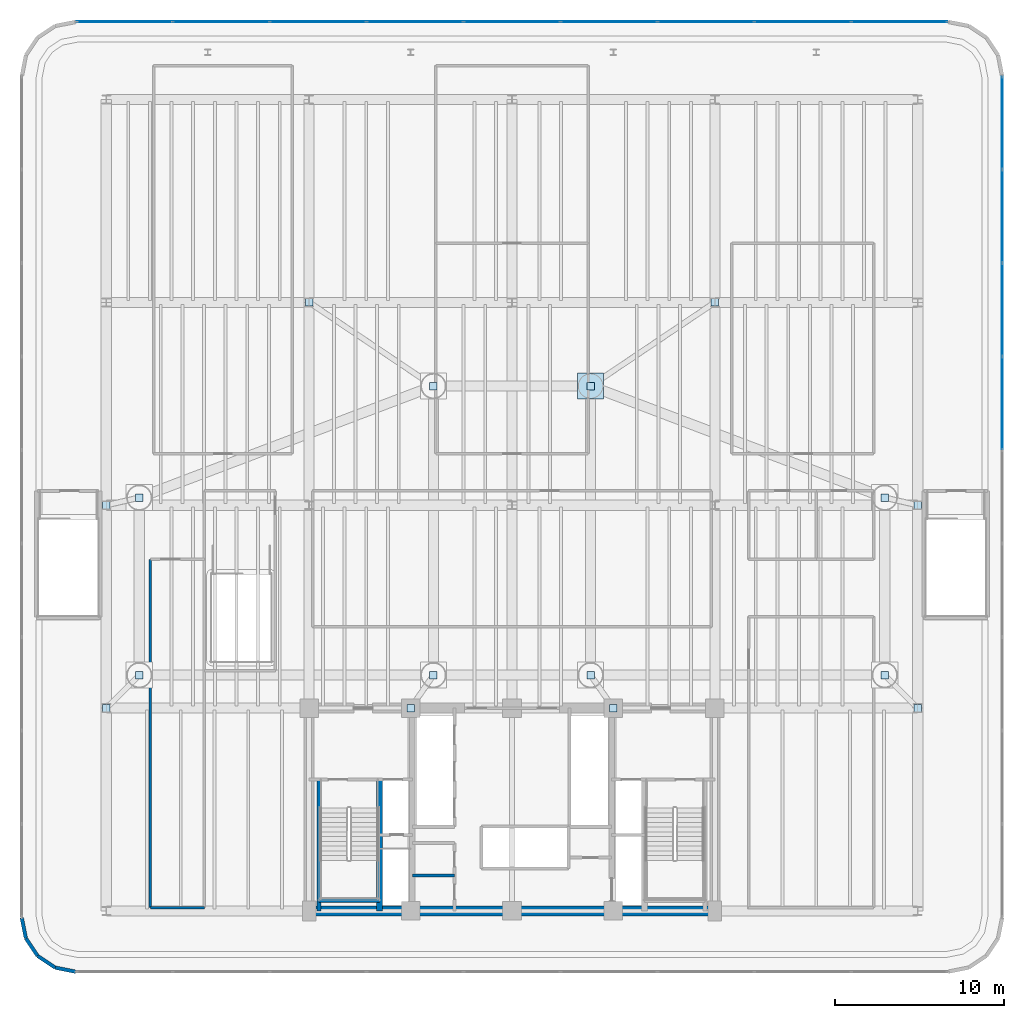
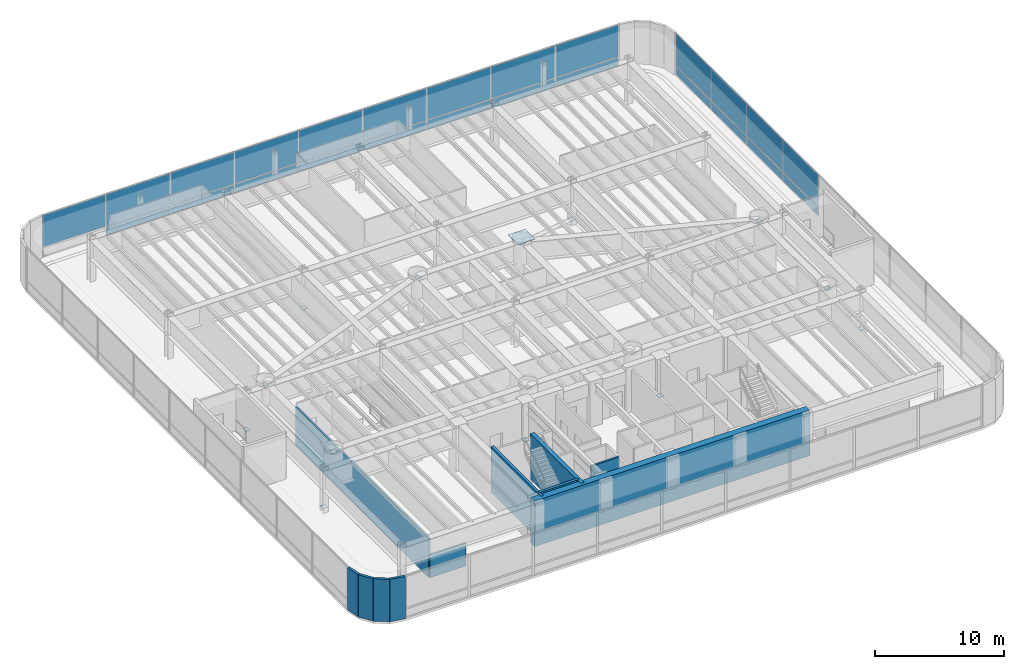
# One storey, part 12 of 18: 42 plates, 11 walls, 2 elements without a shape of their own.
"""IFC4 building model written with IfcOpenShell, lengths in metres."""

from ifc_helpers import new_model, si_unit, direction, frame, frame_2d, origin, origin_2d, place, context, subcontext, project, spatial, rectangle, extrude, source, transform, mapped, material, layer, layer_set, type_object, element, aggregate, save


model = new_model("IFC4")

# Units and contexts
model_context = context("Model", 3, precision=1e-05, world=origin(), true_north=direction((0.0, 1.0)))
body_context = subcontext(model_context, "Body", "Model", "MODEL_VIEW")
ifc_project = project(units=[si_unit("LENGTHUNIT", "METRE"), si_unit("AREAUNIT", "SQUARE_METRE"), si_unit("VOLUMEUNIT", "CUBIC_METRE"), si_unit("PLANEANGLEUNIT", "RADIAN"), si_unit("MASSUNIT", "GRAM", prefix="KILO")], contexts=[model_context])

# Site, building, storey
site_placement = place(None, origin())
site = spatial("IfcSite", under=ifc_project, at=site_placement, CompositionType="ELEMENT")
building_placement = place(site_placement, origin())
building = spatial("IfcBuilding", under=site, at=building_placement, Name="Brelvock Crest Care Tower", CompositionType="ELEMENT")
storey_placement = place(building_placement, frame((0.0, 0.0, 22.679931640625)))
storey = spatial("IfcBuildingStorey", under=building, at=storey_placement, Name="L05", CompositionType="ELEMENT", Elevation=22.679931640625)

# Plates
ifc_material_1 = material(Name="Steel Grade 350", Category="steel")
plate_type_1 = type_object("IfcPlateType", Name="PLT-EC1", PredefinedType="USERDEFINED", material=ifc_material_1)
shared_shape_1 = source(origin(), body_context, "Body", "SweptSolid", [
    extrude(rectangle(XDim=1.550048828125, YDim=1.550048828125, at=origin_2d()), origin(), (0.0, 0.0, 1.0), 0.031982421875),
])
plate_1_placement = place(storey_placement, frame((40.64990234375, 37.050048828125, 4.31201171875), z_axis=(0.0, 0.0, 1.0), x_axis=(1.0, 0.0, 0.0)))
element("IfcPlate", 1, at=plate_1_placement, inside=storey, type_object=plate_type_1, Name="PLT-CAP-L05-08", ObjectType="FLANGE_PLATE", PredefinedType="USERDEFINED", context=body_context, shape_type="MappedRepresentation", body=[
    mapped(shared_shape_1, transform((0.0, 0.0, 0.0), x_axis=(1.0, 0.0, 0.0), y_axis=(0.0, 1.0, 0.0), z_axis=(0.0, 0.0, 1.0), scale=1.0)),
])
plate_type_2 = type_object("IfcPlateType", Name="PLT-EC3", PredefinedType="USERDEFINED", material=ifc_material_1)
shared_shape_2 = source(origin(), body_context, "Body", "SweptSolid", [
    extrude(rectangle(XDim=0.449951171875, YDim=0.449951171875, at=origin_2d()), origin(), (0.0, 0.0, 1.0), 0.02490234375),
])
for number, where, z_axis, x_axis, name in (
    (2, (12.0, 18.0, 0.4375), (0.0, 0.0, 1.0), (1.0, 0.0, 0.0), "PLT-CAP-TR5A-01"),
    (3, (13.949951171875, 19.949951171875, 3.757568359375), (0.0, 0.0, 1.0), (1.0, 0.0, 0.0), "PLT-CAP-TR5B-01"),
    (4, (12.0, 30.0, 0.4375), (0.0, 0.0, 1.0), (1.0, 0.0, 0.0), "PLT-CAP-TR5A-02"),
    (5, (13.949951171875, 30.449951171875, 3.757568359375), (0.0, 0.0, 1.0), (1.0, 0.0, 0.0), "PLT-CAP-TR5B-02"),
    (6, (60.0, 18.0, 0.4375), (0.0, 0.0, 1.0), (1.0, 0.0, 0.0), "PLT-CAP-TR5A-03"),
    (7, (58.050048828125, 19.949951171875, 3.757568359375), (0.0, 0.0, 1.0), (1.0, 0.0, 0.0), "PLT-CAP-TR5B-03"),
    (8, (60.0, 30.0, 0.4375), (0.0, 0.0, 1.0), (1.0, 0.0, 0.0), "PLT-CAP-TR5A-04"),
    (9, (58.050048828125, 30.449951171875, 3.757568359375), (0.0, 0.0, 1.0), (1.0, 0.0, 0.0), "PLT-CAP-TR5B-04"),
    (10, (30.0, 18.0, 0.4375), (0.0, 0.0, 1.0), (1.0, 0.0, 0.0), "PLT-CAP-TR5A-05"),
    (11, (31.35009765625, 19.949951171875, 3.757568359375), (0.0, 0.0, 1.0), (1.0, 0.0, 0.0), "PLT-CAP-TR5B-05"),
    (12, (42.0, 18.0, 0.4375), (0.0, 0.0, 1.0), (1.0, 0.0, 0.0), "PLT-CAP-TR5A-06"),
    (13, (40.64990234375, 19.949951171875, 3.757568359375), (0.0, 0.0, 1.0), (1.0, 0.0, 0.0), "PLT-CAP-TR5B-06"),
    (14, (24.0, 42.0, 0.4375), (0.0, 0.0, 1.0), (1.0, 0.0, 0.0), "PLT-CAP-TR5A-07"),
    (15, (31.35009765625, 37.050048828125, 3.757568359375), (0.0, 0.0, 1.0), (1.0, 0.0, 0.0), "PLT-CAP-TR5B-07"),
    (16, (48.0, 42.0, 0.4375), (0.0, 0.0, 1.0), (1.0, 0.0, 0.0), "PLT-CAP-TR5A-08"),
    (17, (40.64990234375, 37.050048828125, 3.757568359375), (0.0, 0.0, 1.0), (1.0, 0.0, 0.0), "PLT-CAP-TR5B-08"),
):
    element("IfcPlate", number, at=place(storey_placement, frame(where, z_axis=z_axis, x_axis=x_axis)), inside=storey, type_object=plate_type_2, Name=name, ObjectType="FLANGE_PLATE", PredefinedType="USERDEFINED", context=body_context, shape_type="MappedRepresentation", body=[
        mapped(shared_shape_2, transform((0.0, 0.0, 0.0), x_axis=(1.0, 0.0, 0.0), y_axis=(0.0, 1.0, 0.0), z_axis=(0.0, 0.0, 1.0), scale=1.0)),
    ])

# Curtain wall, plates
ifc_material_2 = material(Name="Dark Glass Double Glazed Low-E", Category="glass")
ifc_layer_1 = layer(ifc_material_2, 0.179931640625, Name="CWS-1")
ifc_layer_set_1 = layer_set([ifc_layer_1], Name="Dark Glass Double Glazed Low-E")
curtain_wall_type = type_object("IfcCurtainWallType", Name="CWS-1", PredefinedType="NOTDEFINED", material=ifc_layer_set_1)
curtain_wall_1_placement = place(storey_placement, origin())
curtain_wall_1 = element("IfcCurtainWall", 18, at=curtain_wall_1_placement, inside=storey, type_object=curtain_wall_type, Name="L05 Curtain Wall E14", PredefinedType="NOTDEFINED")
ifc_material_3 = material(Name="Dark Glass Shadow-Box Spandrel", Category="glass")
ifc_layer_2 = layer(ifc_material_3, 0.048095703125, Name="CWP-SP1")
ifc_layer_set_2 = layer_set([ifc_layer_2], Name="Dark Glass Shadow-Box Spandrel")
plate_type_3 = type_object("IfcPlateType", Name="CWP-SP1", PredefinedType="SHEET", material=ifc_layer_set_2)
shared_shape_3 = source(origin(), body_context, "Body", "SweptSolid", [
    extrude(rectangle(XDim=5.435791015625, YDim=0.035888671875, at=origin_2d()), origin(), (0.0, 0.0, 1.0), 0.802490234375),
])
plate_2_placement = place(storey_placement, frame((65.0, 52.6171875, 0.06494140625), z_axis=(0.0, 0.0, 1.0), x_axis=(0.0, -1.0, 0.0)))
plate_2 = element("IfcPlate", 19, at=plate_2_placement, type_object=plate_type_3, Name="CW-1 panel 1.1", PredefinedType="SHEET", context=body_context, shape_type="MappedRepresentation", body=[
    mapped(shared_shape_3, transform((0.0, 0.0, 0.0), x_axis=(1.0, 0.0, 0.0), y_axis=(0.0, 1.0, 0.0), z_axis=(0.0, 0.0, 1.0), scale=1.0)),
])
shared_shape_4 = source(origin(), body_context, "Body", "SweptSolid", [
    extrude(rectangle(XDim=5.46826171875, YDim=0.035888671875, at=origin_2d()), origin(), (0.0, 0.0, 1.0), 0.802490234375),
])
plate_3_placement = place(storey_placement, frame((65.0, 47.10009765625, 0.06494140625), z_axis=(0.0, 0.0, 1.0), x_axis=(0.0, -1.0, 0.0)))
plate_3 = element("IfcPlate", 20, at=plate_3_placement, type_object=plate_type_3, Name="CW-1 panel 2.1", PredefinedType="SHEET", context=body_context, shape_type="MappedRepresentation", body=[
    mapped(shared_shape_4, transform((0.0, 0.0, 0.0), x_axis=(1.0, 0.0, 0.0), y_axis=(0.0, 1.0, 0.0), z_axis=(0.0, 0.0, 1.0), scale=1.0)),
])
plate_4_placement = place(storey_placement, frame((65.0, 41.566650390625, 0.06494140625), z_axis=(0.0, 0.0, 1.0), x_axis=(0.0, -1.0, 0.0)))
plate_4 = element("IfcPlate", 21, at=plate_4_placement, type_object=plate_type_3, Name="CW-1 panel 3.1", PredefinedType="SHEET", context=body_context, shape_type="MappedRepresentation", body=[
    mapped(shared_shape_4, transform((0.0, 0.0, 0.0), x_axis=(1.0, 0.0, 0.0), y_axis=(0.0, 1.0, 0.0), z_axis=(0.0, 0.0, 1.0), scale=1.0)),
])
plate_5_placement = place(storey_placement, frame((65.0, 36.033447265625, 0.06494140625), z_axis=(0.0, 0.0, 1.0), x_axis=(0.0, -1.0, 0.0)))
plate_5 = element("IfcPlate", 22, at=plate_5_placement, type_object=plate_type_3, Name="CW-1 panel 4.1", PredefinedType="SHEET", context=body_context, shape_type="MappedRepresentation", body=[
    mapped(shared_shape_4, transform((0.0, 0.0, 0.0), x_axis=(1.0, 0.0, 0.0), y_axis=(0.0, 1.0, 0.0), z_axis=(0.0, 0.0, 1.0), scale=1.0)),
])

curtain_wall_2_placement = place(storey_placement, origin())
curtain_wall_2 = element("IfcCurtainWall", 23, at=curtain_wall_2_placement, inside=storey, type_object=curtain_wall_type, Name="L05 Curtain Wall E09", PredefinedType="NOTDEFINED")
shared_shape_5 = source(origin(), body_context, "Body", "SweptSolid", [
    extrude(rectangle(XDim=5.6357421875, YDim=0.035888671875, at=origin_2d()), origin(), (0.0, 0.0, 1.0), 0.802490234375),
])
plate_6_placement = place(storey_placement, frame((58.9169921875, 58.60009765625, 0.06494140625), z_axis=(0.0, 0.0, 1.0), x_axis=(1.0, 0.0, 0.0)))
plate_6 = element("IfcPlate", 24, at=plate_6_placement, type_object=plate_type_3, Name="CW-1 panel 9.1", PredefinedType="SHEET", context=body_context, shape_type="MappedRepresentation", body=[
    mapped(shared_shape_5, transform((0.0, 0.0, 0.0), x_axis=(1.0, 0.0, 0.0), y_axis=(0.0, 1.0, 0.0), z_axis=(0.0, 0.0, 1.0), scale=1.0)),
])
shared_shape_6 = source(origin(), body_context, "Body", "SweptSolid", [
    extrude(rectangle(XDim=5.668212890625, YDim=0.035888671875, at=origin_2d()), origin(), (0.0, 0.0, 1.0), 0.802490234375),
])
plate_7_placement = place(storey_placement, frame((18.800048828125, 58.60009765625, 0.06494140625), z_axis=(0.0, 0.0, 1.0), x_axis=(1.0, 0.0, 0.0)))
plate_7 = element("IfcPlate", 25, at=plate_7_placement, type_object=plate_type_3, Name="CW-1 panel 2.1", PredefinedType="SHEET", context=body_context, shape_type="MappedRepresentation", body=[
    mapped(shared_shape_6, transform((0.0, 0.0, 0.0), x_axis=(1.0, 0.0, 0.0), y_axis=(0.0, 1.0, 0.0), z_axis=(0.0, 0.0, 1.0), scale=1.0)),
])
plate_8_placement = place(storey_placement, frame((24.533447265625, 58.60009765625, 0.06494140625), z_axis=(0.0, 0.0, 1.0), x_axis=(1.0, 0.0, 0.0)))
plate_8 = element("IfcPlate", 26, at=plate_8_placement, type_object=plate_type_3, Name="CW-1 panel 3.1", PredefinedType="SHEET", context=body_context, shape_type="MappedRepresentation", body=[
    mapped(shared_shape_6, transform((0.0, 0.0, 0.0), x_axis=(1.0, 0.0, 0.0), y_axis=(0.0, 1.0, 0.0), z_axis=(0.0, 0.0, 1.0), scale=1.0)),
])
plate_9_placement = place(storey_placement, frame((30.2666015625, 58.60009765625, 0.06494140625), z_axis=(0.0, 0.0, 1.0), x_axis=(1.0, 0.0, 0.0)))
plate_9 = element("IfcPlate", 27, at=plate_9_placement, type_object=plate_type_3, Name="CW-1 panel 4.1", PredefinedType="SHEET", context=body_context, shape_type="MappedRepresentation", body=[
    mapped(shared_shape_6, transform((0.0, 0.0, 0.0), x_axis=(1.0, 0.0, 0.0), y_axis=(0.0, 1.0, 0.0), z_axis=(0.0, 0.0, 1.0), scale=1.0)),
])
plate_10_placement = place(storey_placement, frame((36.0, 58.60009765625, 0.06494140625), z_axis=(0.0, 0.0, 1.0), x_axis=(1.0, 0.0, 0.0)))
plate_10 = element("IfcPlate", 28, at=plate_10_placement, type_object=plate_type_3, Name="CW-1 panel 5.1", PredefinedType="SHEET", context=body_context, shape_type="MappedRepresentation", body=[
    mapped(shared_shape_6, transform((0.0, 0.0, 0.0), x_axis=(1.0, 0.0, 0.0), y_axis=(0.0, 1.0, 0.0), z_axis=(0.0, 0.0, 1.0), scale=1.0)),
])
plate_11_placement = place(storey_placement, frame((41.7333984375, 58.60009765625, 0.06494140625), z_axis=(0.0, 0.0, 1.0), x_axis=(1.0, 0.0, 0.0)))
plate_11 = element("IfcPlate", 29, at=plate_11_placement, type_object=plate_type_3, Name="CW-1 panel 6.1", PredefinedType="SHEET", context=body_context, shape_type="MappedRepresentation", body=[
    mapped(shared_shape_6, transform((0.0, 0.0, 0.0), x_axis=(1.0, 0.0, 0.0), y_axis=(0.0, 1.0, 0.0), z_axis=(0.0, 0.0, 1.0), scale=1.0)),
])
plate_12_placement = place(storey_placement, frame((47.466552734375, 58.60009765625, 0.06494140625), z_axis=(0.0, 0.0, 1.0), x_axis=(1.0, 0.0, 0.0)))
plate_12 = element("IfcPlate", 30, at=plate_12_placement, type_object=plate_type_3, Name="CW-1 panel 7.1", PredefinedType="SHEET", context=body_context, shape_type="MappedRepresentation", body=[
    mapped(shared_shape_6, transform((0.0, 0.0, 0.0), x_axis=(1.0, 0.0, 0.0), y_axis=(0.0, 1.0, 0.0), z_axis=(0.0, 0.0, 1.0), scale=1.0)),
])
plate_13_placement = place(storey_placement, frame((53.199951171875, 58.60009765625, 0.06494140625), z_axis=(0.0, 0.0, 1.0), x_axis=(1.0, 0.0, 0.0)))
plate_13 = element("IfcPlate", 31, at=plate_13_placement, type_object=plate_type_3, Name="CW-1 panel 8.1", PredefinedType="SHEET", context=body_context, shape_type="MappedRepresentation", body=[
    mapped(shared_shape_6, transform((0.0, 0.0, 0.0), x_axis=(1.0, 0.0, 0.0), y_axis=(0.0, 1.0, 0.0), z_axis=(0.0, 0.0, 1.0), scale=1.0)),
])

# Plate
ifc_layer_3 = layer(ifc_material_2, 0.031982421875, Name="CWP-V1")
ifc_layer_set_3 = layer_set([ifc_layer_3], Name="Dark Glass Double Glazed Low-E")
plate_type_4 = type_object("IfcPlateType", Name="CWP-V1", PredefinedType="CURTAIN_PANEL", material=ifc_layer_set_3)
shared_shape_7 = source(origin(), body_context, "Body", "SweptSolid", [
    extrude(rectangle(XDim=5.435791015625, YDim=0.035888671875, at=origin_2d()), origin(), (0.0, 0.0, 1.0), 3.00244140625),
])
plate_14_placement = place(storey_placement, frame((65.0, 52.6171875, 0.9326171875), z_axis=(0.0, 0.0, 1.0), x_axis=(0.0, -1.0, 0.0)))
plate_14 = element("IfcPlate", 32, at=plate_14_placement, type_object=plate_type_4, Name="CW-1 panel 1.2", PredefinedType="CURTAIN_PANEL", context=body_context, shape_type="MappedRepresentation", body=[
    mapped(shared_shape_7, transform((0.0, 0.0, 0.0), x_axis=(1.0, 0.0, 0.0), y_axis=(0.0, 1.0, 0.0), z_axis=(0.0, 0.0, 1.0), scale=1.0)),
])

shared_shape_8 = source(origin(), body_context, "Body", "SweptSolid", [
    extrude(rectangle(XDim=5.46826171875, YDim=0.035888671875, at=origin_2d()), origin(), (0.0, 0.0, 1.0), 3.00244140625),
])
plate_15_placement = place(storey_placement, frame((65.0, 47.10009765625, 0.9326171875), z_axis=(0.0, 0.0, 1.0), x_axis=(0.0, -1.0, 0.0)))
plate_15 = element("IfcPlate", 33, at=plate_15_placement, type_object=plate_type_4, Name="CW-1 panel 2.2", PredefinedType="CURTAIN_PANEL", context=body_context, shape_type="MappedRepresentation", body=[
    mapped(shared_shape_8, transform((0.0, 0.0, 0.0), x_axis=(1.0, 0.0, 0.0), y_axis=(0.0, 1.0, 0.0), z_axis=(0.0, 0.0, 1.0), scale=1.0)),
])

plate_16_placement = place(storey_placement, frame((65.0, 41.566650390625, 0.9326171875), z_axis=(0.0, 0.0, 1.0), x_axis=(0.0, -1.0, 0.0)))
plate_16 = element("IfcPlate", 34, at=plate_16_placement, type_object=plate_type_4, Name="CW-1 panel 3.2", PredefinedType="CURTAIN_PANEL", context=body_context, shape_type="MappedRepresentation", body=[
    mapped(shared_shape_8, transform((0.0, 0.0, 0.0), x_axis=(1.0, 0.0, 0.0), y_axis=(0.0, 1.0, 0.0), z_axis=(0.0, 0.0, 1.0), scale=1.0)),
])

plate_17_placement = place(storey_placement, frame((65.0, 36.033447265625, 0.9326171875), z_axis=(0.0, 0.0, 1.0), x_axis=(0.0, -1.0, 0.0)))
plate_17 = element("IfcPlate", 35, at=plate_17_placement, type_object=plate_type_4, Name="CW-1 panel 4.2", PredefinedType="CURTAIN_PANEL", context=body_context, shape_type="MappedRepresentation", body=[
    mapped(shared_shape_8, transform((0.0, 0.0, 0.0), x_axis=(1.0, 0.0, 0.0), y_axis=(0.0, 1.0, 0.0), z_axis=(0.0, 0.0, 1.0), scale=1.0)),
])

aggregate(curtain_wall_1, [plate_2, plate_14, plate_3, plate_15, plate_4, plate_16, plate_5, plate_17])

shared_shape_9 = source(origin(), body_context, "Body", "SweptSolid", [
    extrude(rectangle(XDim=5.6357421875, YDim=0.035888671875, at=origin_2d()), origin(), (0.0, 0.0, 1.0), 3.00244140625),
])
plate_18_placement = place(storey_placement, frame((13.0830078125, 58.60009765625, 0.9326171875), z_axis=(0.0, 0.0, 1.0), x_axis=(1.0, 0.0, 0.0)))
plate_18 = element("IfcPlate", 36, at=plate_18_placement, type_object=plate_type_4, Name="CW-1 panel 1.2", PredefinedType="CURTAIN_PANEL", context=body_context, shape_type="MappedRepresentation", body=[
    mapped(shared_shape_9, transform((0.0, 0.0, 0.0), x_axis=(1.0, 0.0, 0.0), y_axis=(0.0, 1.0, 0.0), z_axis=(0.0, 0.0, 1.0), scale=1.0)),
])

plate_19_placement = place(storey_placement, frame((58.9169921875, 58.60009765625, 0.9326171875), z_axis=(0.0, 0.0, 1.0), x_axis=(1.0, 0.0, 0.0)))
plate_19 = element("IfcPlate", 37, at=plate_19_placement, type_object=plate_type_4, Name="CW-1 panel 9.2", PredefinedType="CURTAIN_PANEL", context=body_context, shape_type="MappedRepresentation", body=[
    mapped(shared_shape_9, transform((0.0, 0.0, 0.0), x_axis=(1.0, 0.0, 0.0), y_axis=(0.0, 1.0, 0.0), z_axis=(0.0, 0.0, 1.0), scale=1.0)),
])

shared_shape_10 = source(origin(), body_context, "Body", "SweptSolid", [
    extrude(rectangle(XDim=5.668212890625, YDim=0.035888671875, at=origin_2d()), origin(), (0.0, 0.0, 1.0), 3.00244140625),
])
plate_20_placement = place(storey_placement, frame((18.800048828125, 58.60009765625, 0.9326171875), z_axis=(0.0, 0.0, 1.0), x_axis=(1.0, 0.0, 0.0)))
plate_20 = element("IfcPlate", 38, at=plate_20_placement, type_object=plate_type_4, Name="CW-1 panel 2.2", PredefinedType="CURTAIN_PANEL", context=body_context, shape_type="MappedRepresentation", body=[
    mapped(shared_shape_10, transform((0.0, 0.0, 0.0), x_axis=(1.0, 0.0, 0.0), y_axis=(0.0, 1.0, 0.0), z_axis=(0.0, 0.0, 1.0), scale=1.0)),
])

plate_21_placement = place(storey_placement, frame((24.533447265625, 58.60009765625, 0.9326171875), z_axis=(0.0, 0.0, 1.0), x_axis=(1.0, 0.0, 0.0)))
plate_21 = element("IfcPlate", 39, at=plate_21_placement, type_object=plate_type_4, Name="CW-1 panel 3.2", PredefinedType="CURTAIN_PANEL", context=body_context, shape_type="MappedRepresentation", body=[
    mapped(shared_shape_10, transform((0.0, 0.0, 0.0), x_axis=(1.0, 0.0, 0.0), y_axis=(0.0, 1.0, 0.0), z_axis=(0.0, 0.0, 1.0), scale=1.0)),
])

plate_22_placement = place(storey_placement, frame((30.2666015625, 58.60009765625, 0.9326171875), z_axis=(0.0, 0.0, 1.0), x_axis=(1.0, 0.0, 0.0)))
plate_22 = element("IfcPlate", 40, at=plate_22_placement, type_object=plate_type_4, Name="CW-1 panel 4.2", PredefinedType="CURTAIN_PANEL", context=body_context, shape_type="MappedRepresentation", body=[
    mapped(shared_shape_10, transform((0.0, 0.0, 0.0), x_axis=(1.0, 0.0, 0.0), y_axis=(0.0, 1.0, 0.0), z_axis=(0.0, 0.0, 1.0), scale=1.0)),
])

plate_23_placement = place(storey_placement, frame((36.0, 58.60009765625, 0.9326171875), z_axis=(0.0, 0.0, 1.0), x_axis=(1.0, 0.0, 0.0)))
plate_23 = element("IfcPlate", 41, at=plate_23_placement, type_object=plate_type_4, Name="CW-1 panel 5.2", PredefinedType="CURTAIN_PANEL", context=body_context, shape_type="MappedRepresentation", body=[
    mapped(shared_shape_10, transform((0.0, 0.0, 0.0), x_axis=(1.0, 0.0, 0.0), y_axis=(0.0, 1.0, 0.0), z_axis=(0.0, 0.0, 1.0), scale=1.0)),
])

plate_24_placement = place(storey_placement, frame((41.7333984375, 58.60009765625, 0.9326171875), z_axis=(0.0, 0.0, 1.0), x_axis=(1.0, 0.0, 0.0)))
plate_24 = element("IfcPlate", 42, at=plate_24_placement, type_object=plate_type_4, Name="CW-1 panel 6.2", PredefinedType="CURTAIN_PANEL", context=body_context, shape_type="MappedRepresentation", body=[
    mapped(shared_shape_10, transform((0.0, 0.0, 0.0), x_axis=(1.0, 0.0, 0.0), y_axis=(0.0, 1.0, 0.0), z_axis=(0.0, 0.0, 1.0), scale=1.0)),
])

plate_25_placement = place(storey_placement, frame((47.466552734375, 58.60009765625, 0.9326171875), z_axis=(0.0, 0.0, 1.0), x_axis=(1.0, 0.0, 0.0)))
plate_25 = element("IfcPlate", 43, at=plate_25_placement, type_object=plate_type_4, Name="CW-1 panel 7.2", PredefinedType="CURTAIN_PANEL", context=body_context, shape_type="MappedRepresentation", body=[
    mapped(shared_shape_10, transform((0.0, 0.0, 0.0), x_axis=(1.0, 0.0, 0.0), y_axis=(0.0, 1.0, 0.0), z_axis=(0.0, 0.0, 1.0), scale=1.0)),
])

plate_26_placement = place(storey_placement, frame((53.199951171875, 58.60009765625, 0.9326171875), z_axis=(0.0, 0.0, 1.0), x_axis=(1.0, 0.0, 0.0)))
plate_26 = element("IfcPlate", 44, at=plate_26_placement, type_object=plate_type_4, Name="CW-1 panel 8.2", PredefinedType="CURTAIN_PANEL", context=body_context, shape_type="MappedRepresentation", body=[
    mapped(shared_shape_10, transform((0.0, 0.0, 0.0), x_axis=(1.0, 0.0, 0.0), y_axis=(0.0, 1.0, 0.0), z_axis=(0.0, 0.0, 1.0), scale=1.0)),
])

aggregate(curtain_wall_2, [plate_18, plate_7, plate_20, plate_8, plate_21, plate_9, plate_22, plate_10, plate_23, plate_11, plate_24, plate_12, plate_25, plate_13, plate_26, plate_6, plate_19])

# Walls
ifc_material_4 = material(Name="Concrete S80 (80 MPa)", Category="concrete")
ifc_layer_4 = layer(ifc_material_4, 0.60009765625, Name="WL-CS1")
ifc_layer_set_4 = layer_set([ifc_layer_4], Name="Concrete S80 (80 MPa)")
wall_type_1 = type_object("IfcWallType", Name="WL-CS1", PredefinedType="SHEAR", material=ifc_layer_set_4)
wall_1_placement = place(storey_placement, frame((48.300048828125, 6.0, 0.0), z_axis=(0.0, 0.0, 1.0), x_axis=(-1.0, 0.0, 0.0)))
element("IfcWall", 45, at=wall_1_placement, inside=storey, type_object=wall_type_1, Name="L05 Core South Shear Wall", PredefinedType="SHEAR", context=body_context, shape_type="SweptSolid", body=[
    extrude(rectangle(XDim=24.60009765625, YDim=0.60009765625, at=frame_2d((12.300048828125, 0.0))), origin(), (0.0, 0.0, 1.0), 4.320068359375),
])
ifc_layer_5 = layer(ifc_material_4, 0.35009765625, Name="WL-CS5")
ifc_layer_set_5 = layer_set([ifc_layer_5], Name="Concrete S80 (80 MPa)")
wall_type_2 = type_object("IfcWallType", Name="WL-CS5", PredefinedType="SHEAR", material=ifc_layer_set_5)
wall_2_placement = place(storey_placement, frame((28.14990234375, 6.0, 0.0), z_axis=(0.0, 0.0, 1.0), x_axis=(0.0, 1.0, 0.0)))
element("IfcWall", 46, at=wall_2_placement, inside=storey, type_object=wall_type_2, Name="L05 Core Stair ST-1 East Shear Wall", PredefinedType="SHEAR", context=body_context, shape_type="SweptSolid", body=[
    extrude(rectangle(XDim=7.780029296875, YDim=0.35009765625, at=frame_2d((3.89013671875, 0.0))), origin(), (0.0, 0.0, 1.0), 4.320068359375),
])
ifc_layer_6 = layer(ifc_material_4, 0.25, Name="WL-CS6")
ifc_layer_set_6 = layer_set([ifc_layer_6], Name="Concrete S80 (80 MPa)")
wall_type_3 = type_object("IfcWallType", Name="WL-CS6", PredefinedType="SHEAR", material=ifc_layer_set_6)
wall_3_placement = place(storey_placement, frame((24.580078125, 6.0, 0.0), z_axis=(0.0, 0.0, 1.0), x_axis=(0.0, 1.0, 0.0)))
element("IfcWall", 47, at=wall_3_placement, inside=storey, type_object=wall_type_3, Name="L05 Core Stair ST-1 West Shear Wall", PredefinedType="SHEAR", context=body_context, shape_type="SweptSolid", body=[
    extrude(rectangle(XDim=7.780029296875, YDim=0.25, at=frame_2d((3.89013671875, 0.0))), origin(), (0.0, 0.0, 1.0), 4.320068359375),
])
wall_4_placement = place(storey_placement, frame((24.580078125, 6.6201171875, 0.0), z_axis=(0.0, 0.0, 1.0), x_axis=(1.0, 0.0, 0.0)))
element("IfcWall", 48, at=wall_4_placement, inside=storey, type_object=wall_type_3, Name="L05 Core Stair ST-1 South Shear Wall", PredefinedType="SHEAR", context=body_context, shape_type="SweptSolid", body=[
    extrude(rectangle(XDim=3.56982421875, YDim=0.25, at=frame_2d((1.784912109375, 0.0))), origin(), (0.0, 0.0, 1.0), 4.320068359375),
])
ifc_material_5 = material(Name="Precast concrete N40 (40 MPa)", Category="concrete")
ifc_layer_7 = layer(ifc_material_5, 0.215087890625, Name="WL-EX2")
ifc_layer_set_7 = layer_set([ifc_layer_7], Name="Precast concrete N40 (40 MPa)")
wall_type_4 = type_object("IfcWallType", Name="WL-EX2", PredefinedType="SOLIDWALL", material=ifc_layer_set_7)
for number, where, z_axis, x_axis, name in (
    (49, (10.199951171875, 2.39990234375, 0.0), (0.0, 0.0, 1.0), (-0.980775717779, 0.195138390419, 0.0), "L05 Rounded Corner Wall 00"),
    (50, (8.975341796875, 2.6435546875, 0.0), (0.0, 0.0, 1.0), (-0.831387912822, 0.555692485475, 0.0), "L05 Rounded Corner Wall 01"),
    (51, (7.937255859375, 3.33740234375, 0.0), (0.0, 0.0, 1.0), (-0.555557312883, 0.831478245117, 0.0), "L05 Rounded Corner Wall 02"),
    (52, (7.24365234375, 4.37548828125, 0.0), (0.0, 0.0, 1.0), (-0.195138390419, 0.980775717779, 0.0), "L05 Rounded Corner Wall 03"),
):
    element("IfcWall", number, at=place(storey_placement, frame(where, z_axis=z_axis, x_axis=x_axis)), inside=storey, type_object=wall_type_4, Name=name, PredefinedType="SOLIDWALL", context=body_context, shape_type="SweptSolid", body=[
        extrude(rectangle(XDim=1.24853515625, YDim=0.215087890625, at=frame_2d((0.624267578125, 0.0))), origin(), (0.0, 0.0, 1.0), 4.0),
    ])
ifc_material_6 = material(Name="Masonry Blockwork Acoustic Partition", Category="masonry")
ifc_layer_8 = layer(ifc_material_6, 0.14990234375, Name="WL-INT1")
ifc_layer_set_8 = layer_set([ifc_layer_8], Name="Masonry Blockwork Acoustic Partition")
wall_type_5 = type_object("IfcWallType", Name="WL-INT1", PredefinedType="PARTITIONING", material=ifc_layer_set_8)
wall_5_placement = place(storey_placement, frame((14.60009765625, 6.199951171875, 0.0), z_axis=(0.0, 0.0, 1.0), x_axis=(1.0, 0.0, 0.0)))
element("IfcWall", 53, at=wall_5_placement, inside=storey, type_object=wall_type_5, Name="L05 Interior Wall WL-BX-L05-MPL-S", PredefinedType="PARTITIONING", context=body_context, shape_type="SweptSolid", body=[
    extrude(rectangle(XDim=3.199951171875, YDim=0.14990234375, at=frame_2d((1.60009765625, 0.0))), origin(), (0.0, 0.0, 1.0), 2.18505859375),
])
wall_6_placement = place(storey_placement, frame((14.60009765625, 6.199951171875, 0.0), z_axis=(0.0, 0.0, 1.0), x_axis=(0.0, 1.0, 0.0)))
element("IfcWall", 54, at=wall_6_placement, inside=storey, type_object=wall_type_5, Name="L05 Interior Wall WL-BX-L05-MPL-W", PredefinedType="PARTITIONING", context=body_context, shape_type="SweptSolid", body=[
    extrude(rectangle(XDim=20.60009765625, YDim=0.14990234375, at=frame_2d((10.300048828125, 0.0))), origin(), (0.0, 0.0, 1.0), 3.677978515625),
])
ifc_layer_9 = layer(ifc_material_6, 0.179931640625, Name="WL-SHF1")
ifc_layer_set_9 = layer_set([ifc_layer_9], Name="Masonry Blockwork Acoustic Partition")
wall_type_6 = type_object("IfcWallType", Name="WL-SHF1", PredefinedType="PARTITIONING", material=ifc_layer_set_9)
wall_7_placement = place(storey_placement, frame((30.10009765625, 8.10009765625, 0.0), z_axis=(0.0, 0.0, 1.0), x_axis=(1.0, 0.0, 0.0)))
element("IfcWall", 55, at=wall_7_placement, inside=storey, type_object=wall_type_6, Name="L05 Interior Wall WL-CSBW-SP-L05", PredefinedType="PARTITIONING", context=body_context, shape_type="SweptSolid", body=[
    extrude(rectangle(XDim=2.5, YDim=0.179931640625, at=frame_2d((1.25, 0.0))), origin(), (0.0, 0.0, 1.0), 3.969970703125),
])

save(model, "model.ifc")
